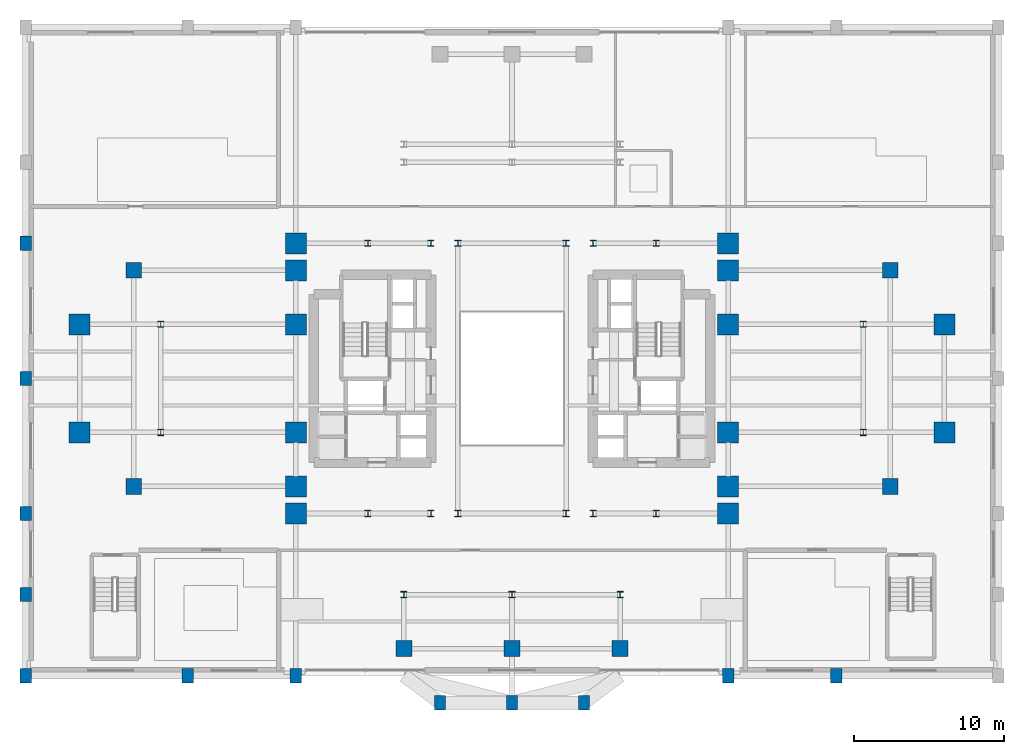
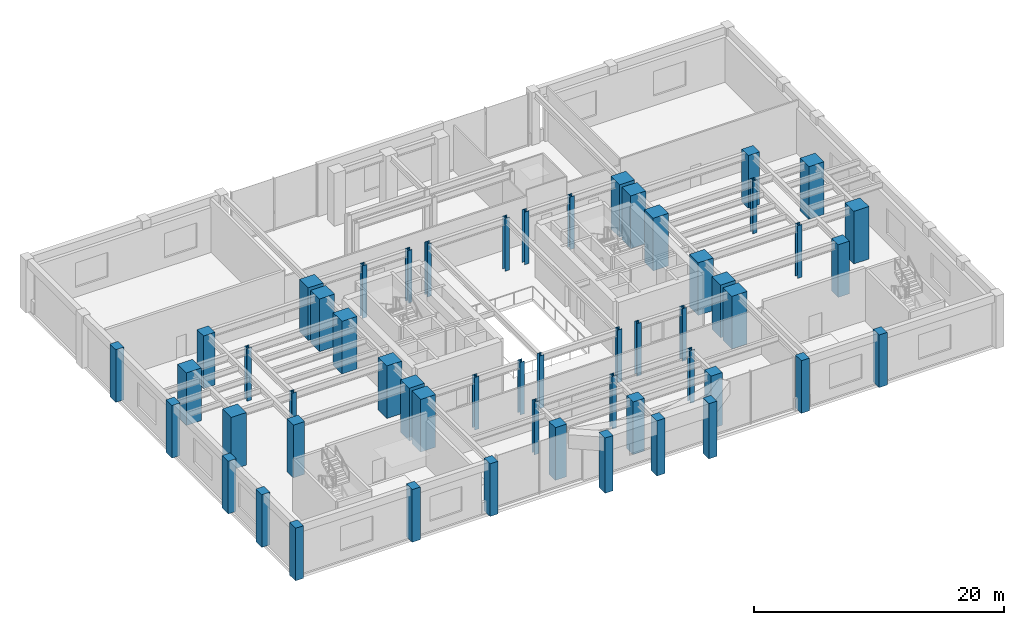
# One storey, part 1 of 16: 54 columns.
"""IFC4 building model written with IfcOpenShell, lengths in metres."""

from ifc_helpers import new_model, si_unit, direction, frame, origin, origin_2d, place, context, subcontext, project, spatial, rectangle, i_section, extrude, source, transform, mapped, material, material_profile, profile_set, type_object, element, save


model = new_model("IFC4")

# Units and contexts
model_context = context("Model", 3, precision=1e-05, world=origin(), true_north=direction((0.0, 1.0)))
body_context = subcontext(model_context, "Body", "Model", "MODEL_VIEW")
ifc_project = project(units=[si_unit("LENGTHUNIT", "METRE"), si_unit("AREAUNIT", "SQUARE_METRE"), si_unit("VOLUMEUNIT", "CUBIC_METRE"), si_unit("PLANEANGLEUNIT", "RADIAN"), si_unit("MASSUNIT", "GRAM", prefix="KILO")], contexts=[model_context])

# Site, building, storey
site_placement = place(None, origin())
site = spatial("IfcSite", under=ifc_project, at=site_placement, CompositionType="ELEMENT")
building_placement = place(site_placement, origin())
building = spatial("IfcBuilding", under=site, at=building_placement, Name="Keilestroom Media Tower", CompositionType="ELEMENT")
storey_placement = place(building_placement, frame((0.0, 0.0, 10.199951171875)))
storey = spatial("IfcBuildingStorey", under=building, at=storey_placement, Name="L02", CompositionType="ELEMENT", Elevation=10.199951171875)

# Columns
ifc_material_1 = material(Name="Precast concrete C40/50", Category="concrete")
ifc_material_profile_1 = material_profile(ifc_material_1, rectangle(XDim=0.75, YDim=0.949951171875, at=origin_2d()), Name="PC 950x750")
ifc_profile_set_1 = profile_set([ifc_material_profile_1], Name="Precast concrete C40/50")
column_type_1 = type_object("IfcColumnType", Name="Structural-Column-PC-950x750", PredefinedType="COLUMN", material=ifc_profile_set_1)
shared_shape_1 = source(origin(), body_context, "Body", "SweptSolid", [
    extrude(rectangle(XDim=0.75, YDim=0.949951171875, at=origin_2d()), origin(), (0.0, 0.0, 1.0), 5.150146484375),
])
for number, where, z_axis, x_axis, name in (
    (1, (-32.39990234375, -19.800048828125, 0.0), (0.0, 0.0, 1.0), (1.0, 0.0, 0.0), "L02 Column PC-1 (-32.4,-19.8)"),
    (2, (-32.39990234375, -14.39990234375, 0.0), (0.0, 0.0, 1.0), (1.0, 0.0, 0.0), "L02 Column PC-1 (-32.4,-14.4)"),
    (3, (-32.39990234375, -9.0, 0.0), (0.0, 0.0, 1.0), (1.0, 0.0, 0.0), "L02 Column PC-1 (-32.4,-9.0)"),
    (4, (-32.39990234375, 0.0, 0.0), (0.0, 0.0, 1.0), (1.0, 0.0, 0.0), "L02 Column PC-1 (-32.4,+0.0)"),
    (5, (-32.39990234375, 9.0, 0.0), (0.0, 0.0, 1.0), (1.0, 0.0, 0.0), "L02 Column PC-1 (-32.4,+9.0)"),
    (6, (-21.60009765625, -19.800048828125, 0.0), (0.0, 0.0, 1.0), (1.0, 0.0, 0.0), "L02 Column PC-1 (-21.6,-19.8)"),
    (7, (-14.39990234375, -19.800048828125, 0.0), (0.0, 0.0, 1.0), (1.0, 0.0, 0.0), "L02 Column PC-1 (-14.4,-19.8)"),
    (8, (14.39990234375, -19.800048828125, 0.0), (0.0, 0.0, 1.0), (1.0, 0.0, 0.0), "L02 Column PC-1 (+14.4,-19.8)"),
    (9, (21.60009765625, -19.800048828125, 0.0), (0.0, 0.0, 1.0), (1.0, 0.0, 0.0), "L02 Column PC-1 (+21.6,-19.8)"),
):
    element("IfcColumn", number, at=place(storey_placement, frame(where, z_axis=z_axis, x_axis=x_axis)), inside=storey, type_object=column_type_1, Name=name, PredefinedType="COLUMN", context=body_context, shape_type="MappedRepresentation", body=[
        mapped(shared_shape_1, transform((0.0, 0.0, 0.0), x_axis=(1.0, 0.0, 0.0), y_axis=(0.0, 1.0, 0.0), z_axis=(0.0, 0.0, 1.0), scale=1.0)),
    ])
ifc_material_2 = material(Name="Concrete C70/85", Category="concrete")
ifc_material_profile_2 = material_profile(ifc_material_2, rectangle(XDim=1.39990234375, YDim=1.39990234375, at=origin_2d()), Name="RC 1400x1400")
ifc_profile_set_2 = profile_set([ifc_material_profile_2], Name="Concrete C70/85")
column_type_2 = type_object("IfcColumnType", Name="Structural-Column-RC-1400x1400", PredefinedType="COLUMN", material=ifc_profile_set_2)
shared_shape_2 = source(origin(), body_context, "Body", "SweptSolid", [
    extrude(rectangle(XDim=1.39990234375, YDim=1.39990234375, at=origin_2d()), origin(), (0.0, 0.0, 1.0), 5.150146484375),
])
for number, where, z_axis, x_axis, name in (
    (10, (-28.800048828125, -3.60009765625, 0.0), (0.0, 0.0, 1.0), (1.0, 0.0, 0.0), "L02 Column MC-1 (-28.8,-3.6)"),
    (11, (-28.800048828125, 3.60009765625, 0.0), (0.0, 0.0, 1.0), (1.0, 0.0, 0.0), "L02 Column MC-1 (-28.8,+3.6)"),
    (12, (-14.39990234375, -9.0, 0.0), (0.0, 0.0, 1.0), (1.0, 0.0, 0.0), "L02 Column MC-1 (-14.4,-9.0)"),
    (13, (-14.39990234375, -7.199951171875, 0.0), (0.0, 0.0, 1.0), (1.0, 0.0, 0.0), "L02 Column MC-1 (-14.4,-7.2)"),
    (14, (-14.39990234375, -3.60009765625, 0.0), (0.0, 0.0, 1.0), (1.0, 0.0, 0.0), "L02 Column MC-1 (-14.4,-3.6)"),
    (15, (-14.39990234375, 3.60009765625, 0.0), (0.0, 0.0, 1.0), (1.0, 0.0, 0.0), "L02 Column MC-1 (-14.4,+3.6)"),
    (16, (-14.39990234375, 7.199951171875, 0.0), (0.0, 0.0, 1.0), (1.0, 0.0, 0.0), "L02 Column MC-1 (-14.4,+7.2)"),
    (17, (-14.39990234375, 9.0, 0.0), (0.0, 0.0, 1.0), (1.0, 0.0, 0.0), "L02 Column MC-1 (-14.4,+9.0)"),
    (18, (14.39990234375, -9.0, 0.0), (0.0, 0.0, 1.0), (1.0, 0.0, 0.0), "L02 Column MC-1 (+14.4,-9.0)"),
    (19, (14.39990234375, -7.199951171875, 0.0), (0.0, 0.0, 1.0), (1.0, 0.0, 0.0), "L02 Column MC-1 (+14.4,-7.2)"),
    (20, (14.39990234375, -3.60009765625, 0.0), (0.0, 0.0, 1.0), (1.0, 0.0, 0.0), "L02 Column MC-1 (+14.4,-3.6)"),
    (21, (14.39990234375, 3.60009765625, 0.0), (0.0, 0.0, 1.0), (1.0, 0.0, 0.0), "L02 Column MC-1 (+14.4,+3.6)"),
    (22, (14.39990234375, 7.199951171875, 0.0), (0.0, 0.0, 1.0), (1.0, 0.0, 0.0), "L02 Column MC-1 (+14.4,+7.2)"),
    (23, (14.39990234375, 9.0, 0.0), (0.0, 0.0, 1.0), (1.0, 0.0, 0.0), "L02 Column MC-1 (+14.4,+9.0)"),
    (24, (28.800048828125, -3.60009765625, 0.0), (0.0, 0.0, 1.0), (1.0, 0.0, 0.0), "L02 Column MC-1 (+28.8,-3.6)"),
    (25, (28.800048828125, 3.60009765625, 0.0), (0.0, 0.0, 1.0), (1.0, 0.0, 0.0), "L02 Column MC-1 (+28.8,+3.6)"),
):
    element("IfcColumn", number, at=place(storey_placement, frame(where, z_axis=z_axis, x_axis=x_axis)), inside=storey, type_object=column_type_2, Name=name, PredefinedType="COLUMN", context=body_context, shape_type="MappedRepresentation", body=[
        mapped(shared_shape_2, transform((0.0, 0.0, 0.0), x_axis=(1.0, 0.0, 0.0), y_axis=(0.0, 1.0, 0.0), z_axis=(0.0, 0.0, 1.0), scale=1.0)),
    ])
ifc_material_3 = material(Name="Concrete C55/67", Category="concrete")
ifc_material_profile_3 = material_profile(ifc_material_3, rectangle(XDim=1.050048828125, YDim=1.050048828125, at=origin_2d()), Name="RC 1050x1050")
ifc_profile_set_3 = profile_set([ifc_material_profile_3], Name="Concrete C55/67")
column_type_3 = type_object("IfcColumnType", Name="Structural-Column-RC-1050x1050", PredefinedType="COLUMN", material=ifc_profile_set_3)
shared_shape_3 = source(origin(), body_context, "Body", "SweptSolid", [
    extrude(rectangle(XDim=1.050048828125, YDim=1.050048828125, at=origin_2d()), origin(), (0.0, 0.0, 1.0), 5.150146484375),
])
for number, where, z_axis, x_axis, name in (
    (26, (-25.199951171875, -7.199951171875, 0.0), (0.0, 0.0, 1.0), (1.0, 0.0, 0.0), "L02 Column MC-3 (-25.2,-7.2)"),
    (27, (-25.199951171875, 7.199951171875, 0.0), (0.0, 0.0, 1.0), (1.0, 0.0, 0.0), "L02 Column MC-3 (-25.2,+7.2)"),
    (28, (-7.199951171875, -18.0, 0.0), (0.0, 0.0, 1.0), (1.0, 0.0, 0.0), "L02 Column MC-3 (-7.2,-18.0)"),
    (29, (0.0, -18.0, 0.0), (0.0, 0.0, 1.0), (1.0, 0.0, 0.0), "L02 Column MC-3 (+0.0,-18.0)"),
    (30, (7.199951171875, -18.0, 0.0), (0.0, 0.0, 1.0), (1.0, 0.0, 0.0), "L02 Column MC-3 (+7.2,-18.0)"),
    (31, (25.199951171875, -7.199951171875, 0.0), (0.0, 0.0, 1.0), (1.0, 0.0, 0.0), "L02 Column MC-3 (+25.2,-7.2)"),
    (32, (25.199951171875, 7.199951171875, 0.0), (0.0, 0.0, 1.0), (1.0, 0.0, 0.0), "L02 Column MC-3 (+25.2,+7.2)"),
):
    element("IfcColumn", number, at=place(storey_placement, frame(where, z_axis=z_axis, x_axis=x_axis)), inside=storey, type_object=column_type_3, Name=name, PredefinedType="COLUMN", context=body_context, shape_type="MappedRepresentation", body=[
        mapped(shared_shape_3, transform((0.0, 0.0, 0.0), x_axis=(1.0, 0.0, 0.0), y_axis=(0.0, 1.0, 0.0), z_axis=(0.0, 0.0, 1.0), scale=1.0)),
    ])
ifc_material_4 = material(Name="Steel S460", Category="steel")
ifc_material_profile_4 = material_profile(ifc_material_4, i_section(OverallWidth=0.406005859375, OverallDepth=0.416015625, WebThickness=0.02392578125, FlangeThickness=0.0390625, at=origin_2d()), Name="HD 400x382")
ifc_profile_set_4 = profile_set([ifc_material_profile_4], Name="Steel S460")
column_type_4 = type_object("IfcColumnType", Name="Structural-Column-HD-400x382", PredefinedType="COLUMN", material=ifc_profile_set_4)
shared_shape_4 = source(origin(), body_context, "Body", "SweptSolid", [
    extrude(i_section(OverallWidth=0.406005859375, OverallDepth=0.416015625, WebThickness=0.02392578125, FlangeThickness=0.0390625, at=origin_2d()), origin(), (0.0, 0.0, 1.0), 5.150146484375),
])
for number, where, z_axis, x_axis, name in (
    (33, (-23.39990234375, -3.60009765625, 0.0), (0.0, 0.0, 1.0), (1.0, 0.0, 0.0), "L02 Column SC-1 (-23.4,-3.6)"),
    (34, (-23.39990234375, 3.60009765625, 0.0), (0.0, 0.0, 1.0), (1.0, 0.0, 0.0), "L02 Column SC-1 (-23.4,+3.6)"),
    (35, (-9.60009765625, -9.0, 0.0), (0.0, 0.0, 1.0), (1.0, 0.0, 0.0), "L02 Column SC-1 (-9.6,-9.0)"),
    (36, (-9.60009765625, 9.0, 0.0), (0.0, 0.0, 1.0), (1.0, 0.0, 0.0), "L02 Column SC-1 (-9.6,+9.0)"),
    (37, (-7.199951171875, -14.39990234375, 0.0), (0.0, 0.0, 1.0), (1.0, 0.0, 0.0), "L02 Column SC-1 (-7.2,-14.4)"),
    (38, (-5.39990234375, -9.0, 0.0), (0.0, 0.0, 1.0), (1.0, 0.0, 0.0), "L02 Column SC-1 (-5.4,-9.0)"),
    (39, (-5.39990234375, 9.0, 0.0), (0.0, 0.0, 1.0), (1.0, 0.0, 0.0), "L02 Column SC-1 (-5.4,+9.0)"),
    (40, (-3.60009765625, -9.0, 0.0), (0.0, 0.0, 1.0), (1.0, 0.0, 0.0), "L02 Column SC-1 (-3.6,-9.0)"),
    (41, (-3.60009765625, 9.0, 0.0), (0.0, 0.0, 1.0), (1.0, 0.0, 0.0), "L02 Column SC-1 (-3.6,+9.0)"),
    (42, (0.0, -14.39990234375, 0.0), (0.0, 0.0, 1.0), (1.0, 0.0, 0.0), "L02 Column SC-1 (+0.0,-14.4)"),
    (43, (3.60009765625, -9.0, 0.0), (0.0, 0.0, 1.0), (1.0, 0.0, 0.0), "L02 Column SC-1 (+3.6,-9.0)"),
    (44, (3.60009765625, 9.0, 0.0), (0.0, 0.0, 1.0), (1.0, 0.0, 0.0), "L02 Column SC-1 (+3.6,+9.0)"),
    (45, (5.39990234375, -9.0, 0.0), (0.0, 0.0, 1.0), (1.0, 0.0, 0.0), "L02 Column SC-1 (+5.4,-9.0)"),
    (46, (5.39990234375, 9.0, 0.0), (0.0, 0.0, 1.0), (1.0, 0.0, 0.0), "L02 Column SC-1 (+5.4,+9.0)"),
    (47, (7.199951171875, -14.39990234375, 0.0), (0.0, 0.0, 1.0), (1.0, 0.0, 0.0), "L02 Column SC-1 (+7.2,-14.4)"),
    (48, (9.60009765625, -9.0, 0.0), (0.0, 0.0, 1.0), (1.0, 0.0, 0.0), "L02 Column SC-1 (+9.6,-9.0)"),
    (49, (9.60009765625, 9.0, 0.0), (0.0, 0.0, 1.0), (1.0, 0.0, 0.0), "L02 Column SC-1 (+9.6,+9.0)"),
    (50, (23.39990234375, -3.60009765625, 0.0), (0.0, 0.0, 1.0), (1.0, 0.0, 0.0), "L02 Column SC-1 (+23.4,-3.6)"),
    (51, (23.39990234375, 3.60009765625, 0.0), (0.0, 0.0, 1.0), (1.0, 0.0, 0.0), "L02 Column SC-1 (+23.4,+3.6)"),
):
    element("IfcColumn", number, at=place(storey_placement, frame(where, z_axis=z_axis, x_axis=x_axis)), inside=storey, type_object=column_type_4, Name=name, PredefinedType="COLUMN", context=body_context, shape_type="MappedRepresentation", body=[
        mapped(shared_shape_4, transform((0.0, 0.0, 0.0), x_axis=(1.0, 0.0, 0.0), y_axis=(0.0, 1.0, 0.0), z_axis=(0.0, 0.0, 1.0), scale=1.0)),
    ])
shared_shape_5 = source(origin(), body_context, "Body", "SweptSolid", [
    extrude(rectangle(XDim=0.75, YDim=0.949951171875, at=origin_2d()), origin(), (0.0, 0.0, 1.0), 5.400146484375),
])
for number, where, z_axis, x_axis, name in (
    (52, (-4.800048828125, -21.60009765625, 0.0), (0.0, 0.0, 1.0), (1.0, 0.0, 0.0), "L02 Column PC-1 (-4.8,-21.6)"),
    (53, (0.0, -21.60009765625, 0.0), (0.0, 0.0, 1.0), (1.0, 0.0, 0.0), "L02 Column PC-1 (+0.0,-21.6)"),
    (54, (4.800048828125, -21.60009765625, 0.0), (0.0, 0.0, 1.0), (1.0, 0.0, 0.0), "L02 Column PC-1 (+4.8,-21.6)"),
):
    element("IfcColumn", number, at=place(storey_placement, frame(where, z_axis=z_axis, x_axis=x_axis)), inside=storey, type_object=column_type_1, Name=name, PredefinedType="COLUMN", context=body_context, shape_type="MappedRepresentation", body=[
        mapped(shared_shape_5, transform((0.0, 0.0, 0.0), x_axis=(1.0, 0.0, 0.0), y_axis=(0.0, 1.0, 0.0), z_axis=(0.0, 0.0, 1.0), scale=1.0)),
    ])

save(model, "model.ifc")
